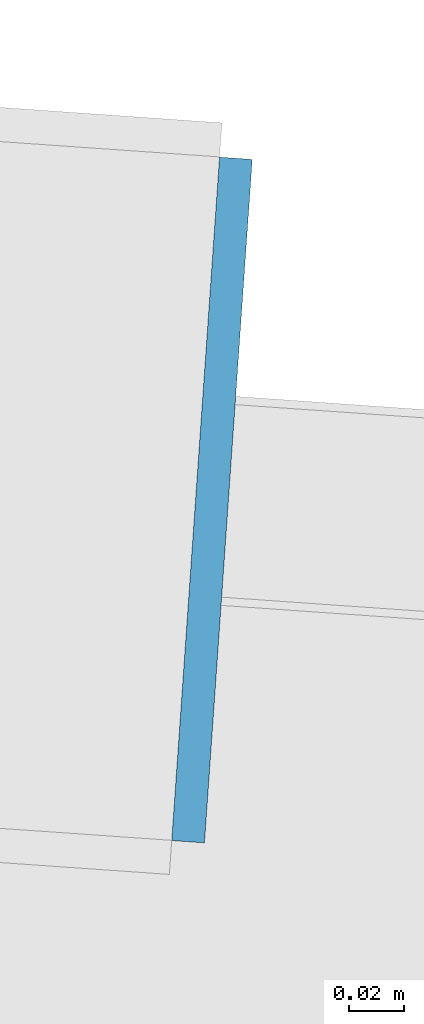
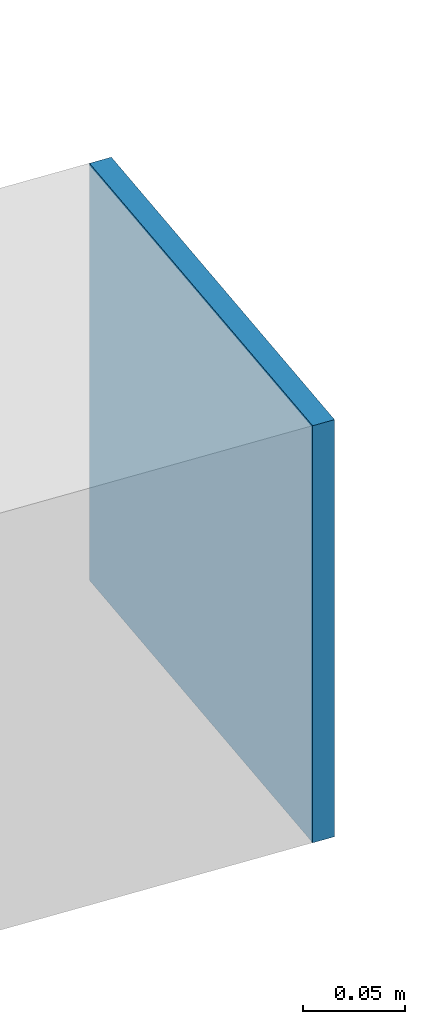
# One storey, part 31 of 39: 1 plate.
"""IFC4 building model written with IfcOpenShell, lengths in metres."""

from ifc_helpers import new_model, si_unit, direction, frame, origin, origin_2d, place, context, subcontext, project, spatial, rectangle, extrude, source, transform, mapped, material, layer, layer_set, type_object, element, save


model = new_model("IFC4")

# Units and contexts
model_context = context("Model", 3, precision=1e-05, world=origin(), true_north=direction((0.0, 1.0)))
body_context = subcontext(model_context, "Body", "Model", "MODEL_VIEW")
ifc_project = project(units=[si_unit("LENGTHUNIT", "METRE"), si_unit("AREAUNIT", "SQUARE_METRE"), si_unit("VOLUMEUNIT", "CUBIC_METRE"), si_unit("PLANEANGLEUNIT", "RADIAN"), si_unit("MASSUNIT", "GRAM", prefix="KILO")], contexts=[model_context])

# Site, building, storey
site_placement = place(None, origin())
site = spatial("IfcSite", under=ifc_project, at=site_placement, CompositionType="ELEMENT")
building_placement = place(site_placement, origin())
building = spatial("IfcBuilding", under=site, at=building_placement, Name="Taldren Reach Tower", CompositionType="ELEMENT")
storey_placement = place(building_placement, frame((0.0, 0.0, 148.75)))
storey = spatial("IfcBuildingStorey", under=building, at=storey_placement, Name="L45", CompositionType="ELEMENT", Elevation=148.75)

# Plate
ifc_material = material(Name="Steel Gr 350 (C350L0)", Category="steel")
ifc_layer = layer(ifc_material, 0.011962890625)
ifc_layer_set = layer_set([ifc_layer], Name="Steel Gr 350 (C350L0)")
plate_type = type_object("IfcPlateType", Name="PL-CAP-250", PredefinedType="SHEET", material=ifc_layer_set)
shared_shape = source(origin(), body_context, "Body", "SweptSolid", [
    extrude(rectangle(XDim=0.011962890625, YDim=0.25, at=origin_2d()), origin(), (0.0, 0.0, 1.0), 0.25),
])
plate_placement = place(storey_placement, frame((62.88330078125, 30.991943359375, 0.094970703125), z_axis=(0.0, 0.0, 1.0), x_axis=(0.99756405026, -0.069756473744, 0.0)))
element("IfcPlate", 1, at=plate_placement, inside=storey, type_object=plate_type, Name="Tie strut end cap plate B3-E3 L45", PredefinedType="SHEET", context=body_context, shape_type="MappedRepresentation", body=[
    mapped(shared_shape, transform((0.0, 0.0, 0.0), scale=1.0)),
])

save(model, "model.ifc")
